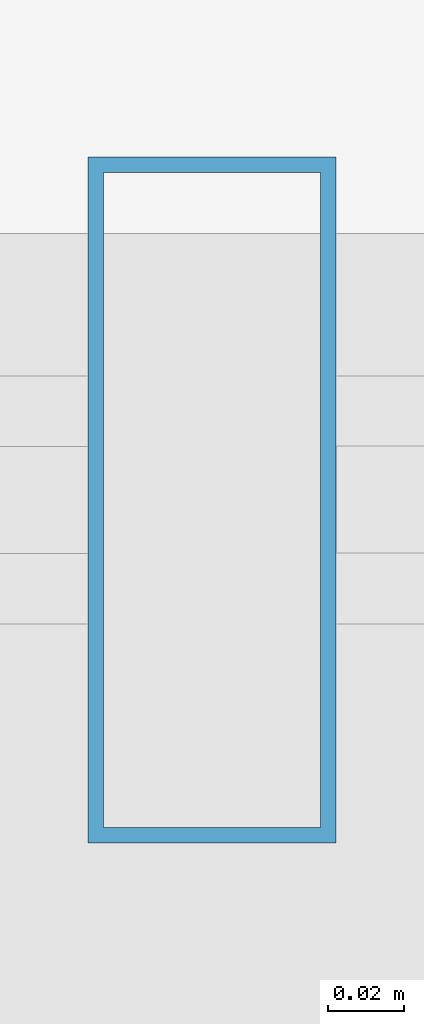
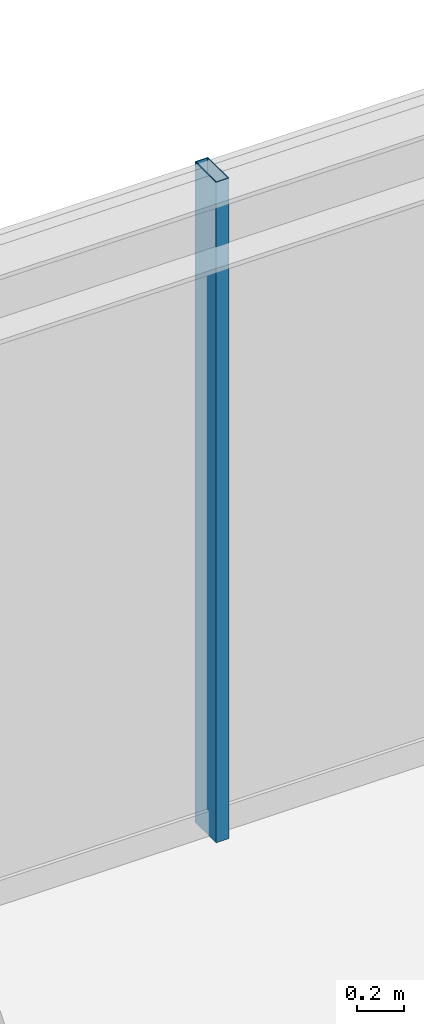
# One storey, part 20 of 31: 1 member, 1 element without a shape of its own.
"""IFC4 building model written with IfcOpenShell, lengths in metres."""

from ifc_helpers import new_model, si_unit, direction, frame, origin, origin_2d, place, context, subcontext, project, spatial, hollow_rectangle, extrude, source, transform, mapped, material, material_profile, profile_set, type_object, element, aggregate, save


model = new_model("IFC4")

# Units and contexts
model_context = context("Model", 3, precision=1e-05, world=origin(), true_north=direction((0.0, 1.0)))
body_context = subcontext(model_context, "Body", "Model", "MODEL_VIEW")
ifc_project = project(units=[si_unit("LENGTHUNIT", "METRE"), si_unit("AREAUNIT", "SQUARE_METRE"), si_unit("VOLUMEUNIT", "CUBIC_METRE"), si_unit("PLANEANGLEUNIT", "RADIAN"), si_unit("MASSUNIT", "GRAM", prefix="KILO")], contexts=[model_context])

# Site, building, storey
site_placement = place(None, origin())
site = spatial("IfcSite", under=ifc_project, at=site_placement, CompositionType="ELEMENT")
building_placement = place(site_placement, origin())
building = spatial("IfcBuilding", under=site, at=building_placement, Name="Nahalor Promenade Grand Hotel", CompositionType="ELEMENT")
storey_placement = place(building_placement, frame((0.0, 0.0, 281.300048828125)))
storey = spatial("IfcBuildingStorey", under=building, at=storey_placement, Name="L72", CompositionType="ELEMENT", Elevation=281.300048828125)

# Curtain wall, member
ifc_material = material(Name="Anodised Bronze Aluminium EN AW-6063 T6", Category="aluminium")
curtain_wall_type = type_object("IfcCurtainWallType", Name="CW2 Typical Hotel Flush Bronze Unitised Curtain Wall", PredefinedType="USERDEFINED", material=ifc_material)
curtain_wall_placement = place(storey_placement, origin())
curtain_wall = element("IfcCurtainWall", 1, at=curtain_wall_placement, inside=storey, type_object=curtain_wall_type, Name="L72 Curtain Wall CW-L72-N-3", ObjectType="UNITISED_CURTAIN_WALL", PredefinedType="USERDEFINED")
ifc_material_profile = material_profile(ifc_material, hollow_rectangle(XDim=0.065, YDim=0.18, WallThickness=0.004, at=origin_2d()), Name="CWM 65x180x4")
ifc_profile_set = profile_set([ifc_material_profile], Name="Anodised Bronze Aluminium EN AW-6063 T6")
member_type = type_object("IfcMemberType", Name="CWM2 Typical Bronze Mullion 65x180", PredefinedType="MULLION", material=ifc_profile_set)
shared_shape = source(origin(), body_context, "Body", "SweptSolid", [
    extrude(hollow_rectangle(XDim=0.065, YDim=0.18, WallThickness=0.004, at=origin_2d()), origin(), (0.0, 0.0, 1.0), 3.449951171875),
])
member_placement = place(storey_placement, frame((5.679931640625, 22.56005859375, 0.0), z_axis=(0.0, 0.0, 1.0), x_axis=(1.0, 0.0, 0.0)))
member = element("IfcMember", 2, at=member_placement, type_object=member_type, Name="CW-L72-N-3 Mullion 1", PredefinedType="MULLION", context=body_context, shape_type="MappedRepresentation", body=[
    mapped(shared_shape, transform((0.0, 0.0, 0.0), scale=1.0)),
])
aggregate(curtain_wall, [member])

save(model, "model.ifc")
